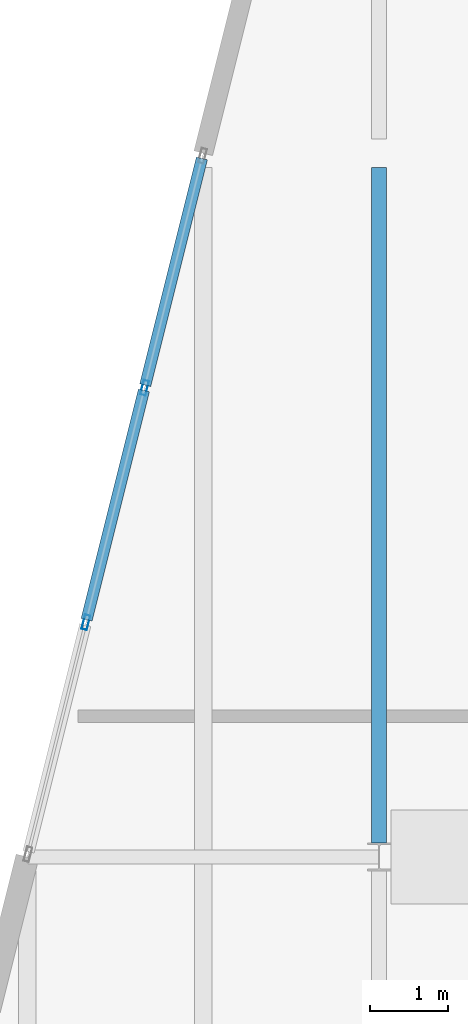
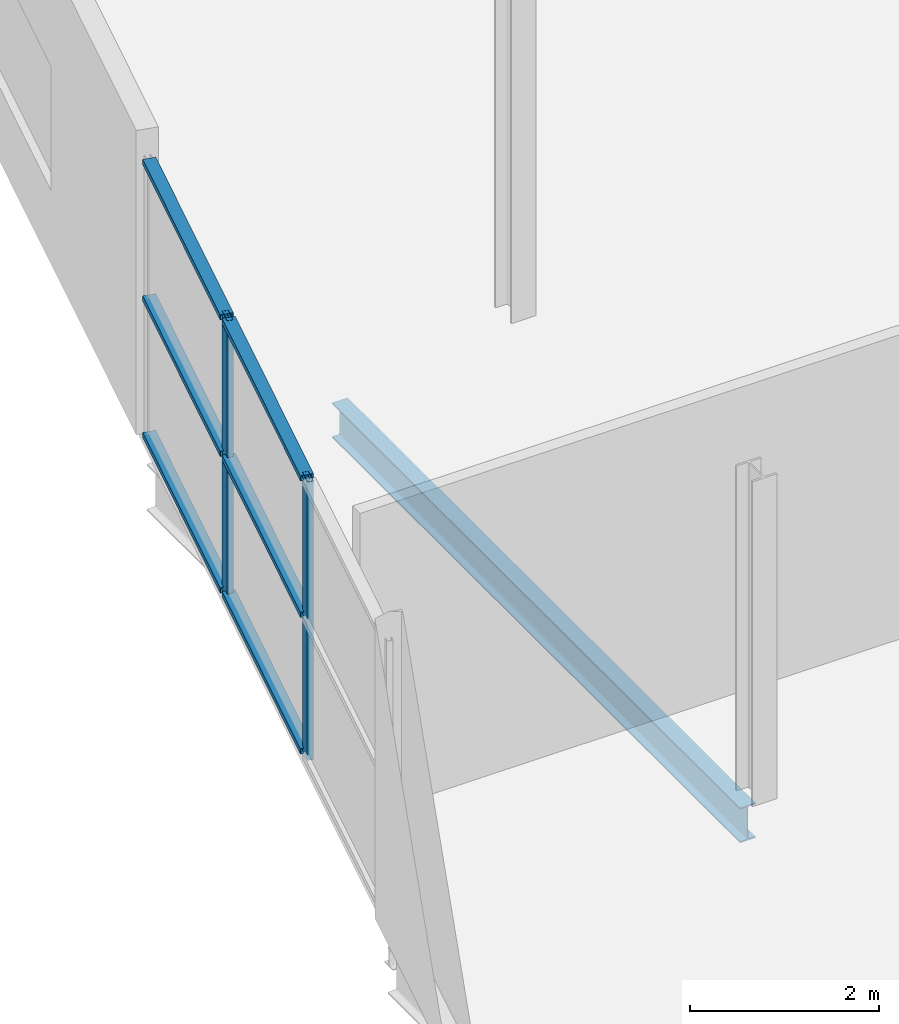
# One storey, part 92 of 132: 8 members, 1 beam, 1 element without a shape of its own.
"""IFC4 building model written with IfcOpenShell, lengths in metres."""

from ifc_helpers import new_model, si_unit, direction, frame, origin, origin_2d, place, context, subcontext, project, spatial, hollow_rectangle, i_section, extrude, material, layer, layer_set, material_profile, profile_set, type_object, element, aggregate, save


model = new_model("IFC4")

# Units and contexts
model_context = context("Model", 3, precision=1e-05, world=origin(), true_north=direction((0.0, 1.0)))
body_context = subcontext(model_context, "Body", "Model", "MODEL_VIEW")
ifc_project = project(units=[si_unit("LENGTHUNIT", "METRE"), si_unit("AREAUNIT", "SQUARE_METRE"), si_unit("VOLUMEUNIT", "CUBIC_METRE"), si_unit("PLANEANGLEUNIT", "RADIAN"), si_unit("MASSUNIT", "GRAM", prefix="KILO")], contexts=[model_context])

# Site, building, storey
site_placement = place(None, origin())
site = spatial("IfcSite", under=ifc_project, at=site_placement, CompositionType="ELEMENT")
building_placement = place(site_placement, origin())
building = spatial("IfcBuilding", under=site, at=building_placement, Name="Deido Ridge Mobility Hub", CompositionType="ELEMENT")
storey_placement = place(building_placement, frame((0.0, 0.0, 8.39990234375)))
storey = spatial("IfcBuildingStorey", under=building, at=storey_placement, Name="L02", CompositionType="ELEMENT", Elevation=8.39990234375)

# Beam
ifc_material_1 = material(Name="Steel S355J2 EN 10025-2", Category="steel")
ifc_material_profile_1 = material_profile(ifc_material_1, i_section(OverallWidth=0.18994140625, OverallDepth=0.449951171875, WebThickness=0.009521484375, FlangeThickness=0.0146484375, FilletRadius=0.02099609375, at=origin_2d()), Name="IPE 450")
ifc_profile_set_1 = profile_set([ifc_material_profile_1], Name="Steel S355J2 EN 10025-2")
beam_type = type_object("IfcBeamType", Name="BM-IPE450", PredefinedType="BEAM", material=ifc_profile_set_1)
beam_placement = place(storey_placement, frame((135.0, 54.179931640625, -0.47998046875), z_axis=(0.0, 1.0, 0.0), x_axis=(-1.0, 0.0, 0.0)))
element("IfcBeam", 1, at=beam_placement, inside=storey, type_object=beam_type, Name="Floor beam B4", PredefinedType="BEAM", context=body_context, shape_type="SweptSolid", body=[
    extrude(i_section(OverallWidth=0.18994140625, OverallDepth=0.449951171875, WebThickness=0.009521484375, FlangeThickness=0.0146484375, FilletRadius=0.02099609375, at=origin_2d()), origin(), (0.0, 0.0, 1.0), 8.64013671875),
])

# Curtain wall, members
ifc_material_2 = material(Name="Anodised aluminium EN AW-6063 T6", Category="aluminium")
ifc_layer = layer(ifc_material_2, 0.239990234375, Name="Anodised aluminium EN AW-6063 T6")
ifc_layer_set = layer_set([ifc_layer], Name="Anodised aluminium EN AW-6063 T6")
curtain_wall_type = type_object("IfcCurtainWallType", Name="CW-UF-6", PredefinedType="USERDEFINED", material=ifc_layer_set)
curtain_wall_placement = place(storey_placement, origin())
curtain_wall = element("IfcCurtainWall", 2, at=curtain_wall_placement, inside=storey, type_object=curtain_wall_type, Name="Unitised curtain wall CW6", ObjectType="UNITISED FACADE", PredefinedType="USERDEFINED")
ifc_material_profile_2 = material_profile(ifc_material_2, hollow_rectangle(XDim=0.070068359375, YDim=0.18994140625, WallThickness=0.00390625, at=origin_2d()), Name="RHS 70x190x4")
ifc_profile_set_2 = profile_set([ifc_material_profile_2], Name="Anodised aluminium EN AW-6063 T6")
member_type_1 = type_object("IfcMemberType", Name="MEM-MUL-70X190", PredefinedType="MULLION", material=ifc_profile_set_2)
member_1_placement = place(storey_placement, frame((131.25, 57.0, 0.0), z_axis=(0.0, 0.0, 1.0), x_axis=(-0.970142500145, 0.242535625038, 0.0)))
member_1 = element("IfcMember", 3, at=member_1_placement, type_object=member_type_1, Name="CW6 mullion 2", PredefinedType="MULLION", context=body_context, shape_type="SweptSolid", body=[
    extrude(hollow_rectangle(XDim=0.070068359375, YDim=0.18994140625, WallThickness=0.00390625, at=origin_2d()), origin(), (0.0, 0.0, 1.0), 3.60009765625),
])
member_2_placement = place(storey_placement, frame((132.0, 60.0, 0.0), z_axis=(0.0, 0.0, 1.0), x_axis=(-0.970142500145, 0.242535625038, 0.0)))
member_2 = element("IfcMember", 4, at=member_2_placement, type_object=member_type_1, Name="CW6 mullion 3", PredefinedType="MULLION", context=body_context, shape_type="SweptSolid", body=[
    extrude(hollow_rectangle(XDim=0.070068359375, YDim=0.18994140625, WallThickness=0.00390625, at=origin_2d()), origin(), (0.0, 0.0, 1.0), 3.60009765625),
])
ifc_material_profile_3 = material_profile(ifc_material_2, hollow_rectangle(XDim=0.14501953125, YDim=0.070068359375, WallThickness=0.00390625, at=origin_2d()), Name="RHS 145x70x4")
ifc_profile_set_3 = profile_set([ifc_material_profile_3], Name="Anodised aluminium EN AW-6063 T6")
member_type_2 = type_object("IfcMemberType", Name="MEM-TRN-145X70", PredefinedType="USERDEFINED", material=ifc_profile_set_3)
member_3_placement = place(storey_placement, frame((131.258544921875, 57.033935546875, 0.03515625), z_axis=(0.242497611351, 0.970152002775, 0.0), x_axis=(-0.970152002775, 0.242497611351, 0.0)))
member_3 = element("IfcMember", 5, at=member_3_placement, type_object=member_type_2, Name="CW6 transom 2.1", ObjectType="TRANSOM", PredefinedType="USERDEFINED", context=body_context, shape_type="SweptSolid", body=[
    extrude(hollow_rectangle(XDim=0.14501953125, YDim=0.070068359375, WallThickness=0.00390625, at=origin_2d()), origin(), (0.0, 0.0, 1.0), 3.0224609375),
])
member_4_placement = place(storey_placement, frame((131.258544921875, 57.033935546875, 1.800048828125), z_axis=(0.242497611351, 0.970152002775, 0.0), x_axis=(-0.970152002775, 0.242497611351, 0.0)))
member_4 = element("IfcMember", 6, at=member_4_placement, type_object=member_type_2, Name="CW6 transom 2.2", ObjectType="TRANSOM", PredefinedType="USERDEFINED", context=body_context, shape_type="SweptSolid", body=[
    extrude(hollow_rectangle(XDim=0.14501953125, YDim=0.070068359375, WallThickness=0.00390625, at=origin_2d()), origin(), (0.0, 0.0, 1.0), 3.0224609375),
])
member_5_placement = place(storey_placement, frame((131.258544921875, 57.033935546875, 3.565185546875), z_axis=(0.242497611351, 0.970152002775, 0.0), x_axis=(-0.970152002775, 0.242497611351, 0.0)))
member_5 = element("IfcMember", 7, at=member_5_placement, type_object=member_type_2, Name="CW6 transom 2.3", ObjectType="TRANSOM", PredefinedType="USERDEFINED", context=body_context, shape_type="SweptSolid", body=[
    extrude(hollow_rectangle(XDim=0.14501953125, YDim=0.070068359375, WallThickness=0.00390625, at=origin_2d()), origin(), (0.0, 0.0, 1.0), 3.0224609375),
])
member_6_placement = place(storey_placement, frame((132.008544921875, 60.033935546875, 0.03515625), z_axis=(0.242477936405, 0.970156920481, 0.0), x_axis=(-0.970156920481, 0.242477936405, 0.0)))
member_6 = element("IfcMember", 8, at=member_6_placement, type_object=member_type_2, Name="CW6 transom 3.1", ObjectType="TRANSOM", PredefinedType="USERDEFINED", context=body_context, shape_type="SweptSolid", body=[
    extrude(hollow_rectangle(XDim=0.14501953125, YDim=0.070068359375, WallThickness=0.00390625, at=origin_2d()), origin(), (0.0, 0.0, 1.0), 2.9873046875),
])
member_7_placement = place(storey_placement, frame((132.008544921875, 60.033935546875, 1.800048828125), z_axis=(0.242477936405, 0.970156920481, 0.0), x_axis=(-0.970156920481, 0.242477936405, 0.0)))
member_7 = element("IfcMember", 9, at=member_7_placement, type_object=member_type_2, Name="CW6 transom 3.2", ObjectType="TRANSOM", PredefinedType="USERDEFINED", context=body_context, shape_type="SweptSolid", body=[
    extrude(hollow_rectangle(XDim=0.14501953125, YDim=0.070068359375, WallThickness=0.00390625, at=origin_2d()), origin(), (0.0, 0.0, 1.0), 2.9873046875),
])
member_8_placement = place(storey_placement, frame((132.008544921875, 60.033935546875, 3.565185546875), z_axis=(0.242477936405, 0.970156920481, 0.0), x_axis=(-0.970156920481, 0.242477936405, 0.0)))
member_8 = element("IfcMember", 10, at=member_8_placement, type_object=member_type_2, Name="CW6 transom 3.3", ObjectType="TRANSOM", PredefinedType="USERDEFINED", context=body_context, shape_type="SweptSolid", body=[
    extrude(hollow_rectangle(XDim=0.14501953125, YDim=0.070068359375, WallThickness=0.00390625, at=origin_2d()), origin(), (0.0, 0.0, 1.0), 2.9873046875),
])
aggregate(curtain_wall, [member_1, member_2, member_3, member_4, member_5, member_6, member_7, member_8])

save(model, "model.ifc")
